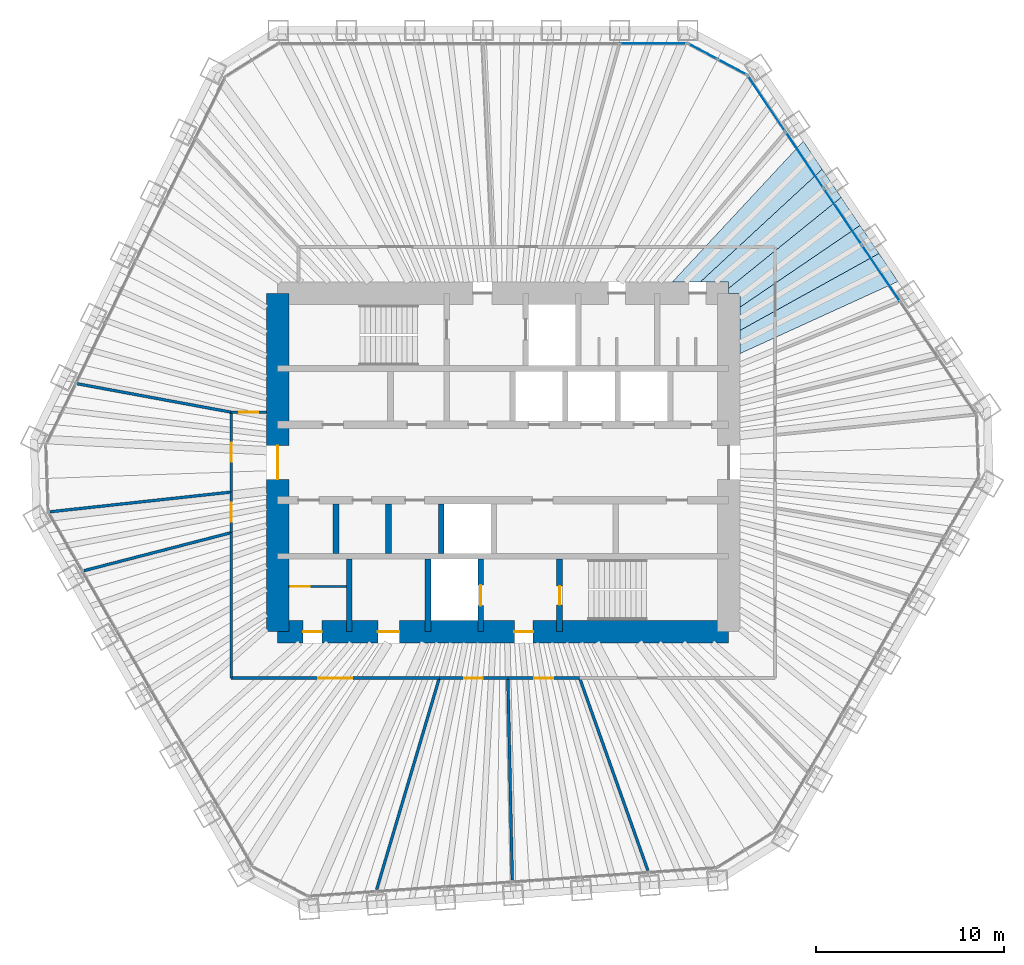
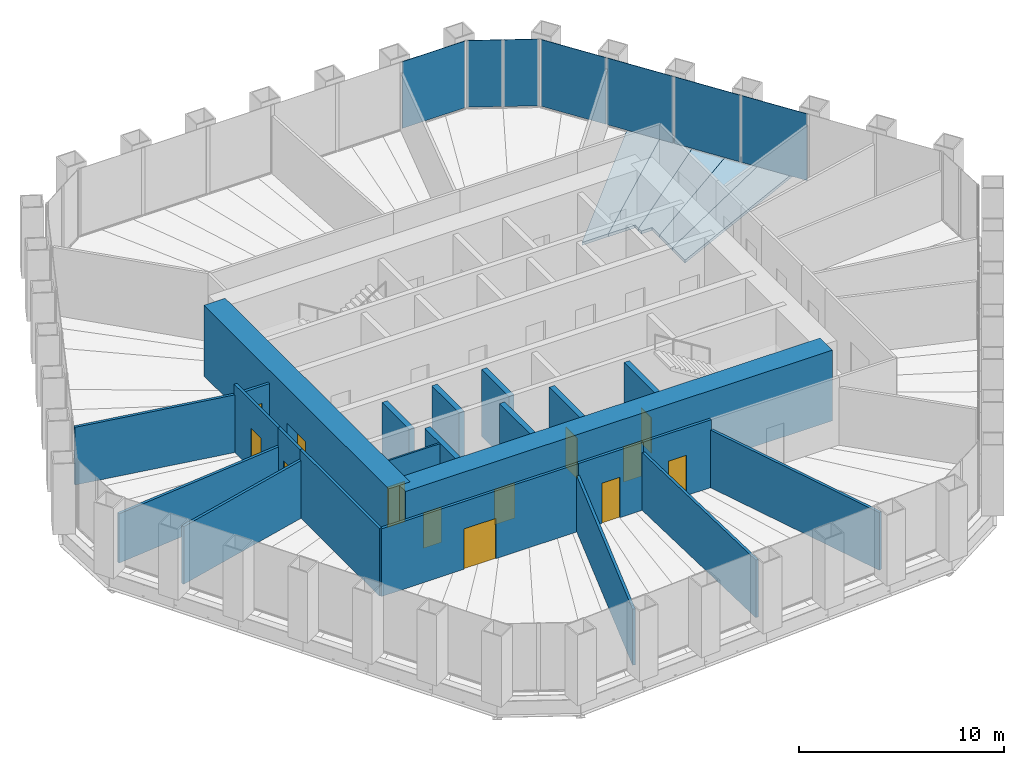
# One storey, part 10 of 13: 23 walls, 13 doors, 7 plates, 5 slabs, 13 openings, 3 elements without a shape of their own.
"""IFC4 building model written with IfcOpenShell, lengths in metres."""

from ifc_helpers import new_model, si_unit, direction, frame, frame_2d, origin, origin_2d, place, context, subcontext, project, spatial, polyline, rectangle, outline, extrude, material, layer, layer_set, type_object, element, fill, aggregate, save


model = new_model("IFC4")

# Units and contexts
model_context = context("Model", 3, precision=1e-05, world=origin(), true_north=direction((0.0, 1.0)))
body_context = subcontext(model_context, "Body", "Model", "MODEL_VIEW")
ifc_project = project(units=[si_unit("LENGTHUNIT", "METRE"), si_unit("AREAUNIT", "SQUARE_METRE"), si_unit("VOLUMEUNIT", "CUBIC_METRE"), si_unit("PLANEANGLEUNIT", "RADIAN"), si_unit("MASSUNIT", "GRAM", prefix="KILO")], contexts=[model_context])

# Site, building, storey
site_placement = place(None, origin())
site = spatial("IfcSite", under=ifc_project, at=site_placement, CompositionType="ELEMENT")
building_placement = place(site_placement, origin())
building = spatial("IfcBuilding", under=site, at=building_placement, Name="Qingtian Harvest Tower", CompositionType="ELEMENT")
storey_placement = place(building_placement, frame((0.0, 0.0, 214.0)))
storey = spatial("IfcBuildingStorey", under=building, at=storey_placement, Name="L46", CompositionType="ELEMENT", Elevation=214.0)

# Slabs
ifc_material_1 = material(Name="Concrete fc' 35 MPa", Category="concrete")
ifc_layer_1 = layer(ifc_material_1, 0.169921875)
ifc_layer_set_1 = layer_set([ifc_layer_1], Name="Composite floor slab FS17 170")
slab_type = type_object("IfcSlabType", Name="Composite floor slab FS17 170", PredefinedType="FLOOR", material=ifc_layer_set_1)
slab_1_placement = place(storey_placement, frame((0.0, 0.0, -0.169921875)))
element("IfcSlab", 1, at=slab_1_placement, inside=storey, type_object=slab_type, Name="Floor slab L46 panel D45", PredefinedType="FLOOR", context=body_context, shape_type="SweptSolid", body=[
    extrude(outline(polyline([(12.60009765625, 7.023681640625), (20.003662109375, 11.125244140625), (21.010986328125, 9.6318359375), (12.60009765625, 5.7900390625), (12.60009765625, 7.023681640625)])), origin(), (0.0, 0.0, 1.0), 0.169921875),
])
slab_2_placement = place(storey_placement, frame((0.0, 0.0, -0.169921875)))
element("IfcSlab", 2, at=slab_2_placement, inside=storey, type_object=slab_type, Name="Floor slab L46 panel D46", PredefinedType="FLOOR", context=body_context, shape_type="SweptSolid", body=[
    extrude(outline(polyline([(12.60009765625, 8.260498046875), (18.997802734375, 12.61669921875), (20.003662109375, 11.125244140625), (12.60009765625, 7.023681640625), (12.60009765625, 8.260498046875)])), origin(), (0.0, 0.0, 1.0), 0.169921875),
])
slab_3_placement = place(storey_placement, frame((0.0, 0.0, -0.169921875)))
element("IfcSlab", 3, at=slab_3_placement, inside=storey, type_object=slab_type, Name="Floor slab L46 panel D47", PredefinedType="FLOOR", context=body_context, shape_type="SweptSolid", body=[
    extrude(outline(polyline([(12.60009765625, 9.0), (12.0, 9.0), (12.0, 9.2666015625), (17.99072265625, 14.109375), (18.997802734375, 12.61669921875), (12.60009765625, 8.260498046875), (12.60009765625, 9.0)])), origin(), (0.0, 0.0, 1.0), 0.169921875),
])
slab_4_placement = place(storey_placement, frame((0.0, 0.0, -0.169921875)))
element("IfcSlab", 4, at=slab_4_placement, inside=storey, type_object=slab_type, Name="Floor slab L46 panel D48", PredefinedType="FLOOR", context=body_context, shape_type="SweptSolid", body=[
    extrude(outline(polyline([(12.0, 9.60009765625), (10.48583984375, 9.60009765625), (16.982177734375, 15.604736328125), (17.99072265625, 14.109375), (12.0, 9.2666015625), (12.0, 9.60009765625)])), origin(), (0.0, 0.0, 1.0), 0.169921875),
])
slab_5_placement = place(storey_placement, frame((0.0, 0.0, -0.169921875)))
element("IfcSlab", 5, at=slab_5_placement, inside=storey, type_object=slab_type, Name="Floor slab L46 panel D49", PredefinedType="FLOOR", context=body_context, shape_type="SweptSolid", body=[
    extrude(outline(polyline([(8.998291015625, 9.60009765625), (15.974853515625, 17.098388671875), (16.982177734375, 15.604736328125), (10.48583984375, 9.60009765625), (8.998291015625, 9.60009765625)])), origin(), (0.0, 0.0, 1.0), 0.169921875),
])

# Curtain wall, plate
ifc_material_2 = material(Name="Bronze-anodised aluminium curtain wall", Category="aluminium")
curtain_wall_type = type_object("IfcCurtainWallType", Name="Curtain wall CW4 office", PredefinedType="USERDEFINED", material=ifc_material_2)
curtain_wall_1_placement = place(storey_placement, origin())
curtain_wall_1 = element("IfcCurtainWall", 6, at=curtain_wall_1_placement, inside=storey, type_object=curtain_wall_type, Name="Curtain wall CW4 L46 N0-5", ObjectType="RECESSED CURTAIN WALL", PredefinedType="USERDEFINED")
ifc_material_3 = material(Name="Bronze-tinted laminated insulating glass", Category="glass")
ifc_layer_2 = layer(ifc_material_3, 0.030029296875)
ifc_layer_set_2 = layer_set([ifc_layer_2], Name="Glazed panel CWP tinted IGU")
plate_type = type_object("IfcPlateType", Name="Glazed panel CWP tinted IGU", PredefinedType="CURTAIN_PANEL", material=ifc_layer_set_2)
plate_1_placement = place(storey_placement, frame((7.996337890625, 22.300048828125, 0.06494140625), z_axis=(0.0, 0.0, 1.0), x_axis=(1.0, 0.0, 0.0)))
plate_1 = element("IfcPlate", 7, at=plate_1_placement, type_object=plate_type, Name="CW4 panel 6.1", PredefinedType="CURTAIN_PANEL", context=body_context, shape_type="SweptSolid", body=[
    extrude(rectangle(XDim=3.5361328125, YDim=0.030029296875, at=origin_2d()), origin(), (0.0, 0.0, 1.0), 3.965087890625),
])
aggregate(curtain_wall_1, [plate_1])

# Curtain wall, plates
curtain_wall_2_placement = place(storey_placement, origin())
curtain_wall_2 = element("IfcCurtainWall", 8, at=curtain_wall_2_placement, inside=storey, type_object=curtain_wall_type, Name="Curtain wall CW4 L46 NC", ObjectType="RECESSED CURTAIN WALL", PredefinedType="USERDEFINED")
plate_2_placement = place(storey_placement, frame((10.634033203125, 21.8720703125, 0.06494140625), z_axis=(0.0, 0.0, 1.0), x_axis=(0.882947592859, -0.469471562786, 0.0)))
plate_2 = element("IfcPlate", 9, at=plate_2_placement, type_object=plate_type, Name="CW4 panel 1.1", PredefinedType="CURTAIN_PANEL", context=body_context, shape_type="SweptSolid", body=[
    extrude(rectangle(XDim=1.69287109375, YDim=0.030029296875, at=origin_2d()), origin(), (0.0, 0.0, 1.0), 3.965087890625),
])
plate_3_placement = place(storey_placement, frame((12.186279296875, 21.046875, 0.06494140625), z_axis=(0.0, 0.0, 1.0), x_axis=(0.882947592859, -0.469471562786, 0.0)))
plate_3 = element("IfcPlate", 10, at=plate_3_placement, type_object=plate_type, Name="CW4 panel 2.1", PredefinedType="CURTAIN_PANEL", context=body_context, shape_type="SweptSolid", body=[
    extrude(rectangle(XDim=1.69287109375, YDim=0.030029296875, at=origin_2d()), origin(), (0.0, 0.0, 1.0), 3.965087890625),
])
aggregate(curtain_wall_2, [plate_2, plate_3])

curtain_wall_3_placement = place(storey_placement, origin())
curtain_wall_3 = element("IfcCurtainWall", 11, at=curtain_wall_3_placement, inside=storey, type_object=curtain_wall_type, Name="Curtain wall CW4 L46 NE0-5", ObjectType="RECESSED CURTAIN WALL", PredefinedType="USERDEFINED")
plate_4_placement = place(storey_placement, frame((14.01611328125, 19.09912109375, 0.06494140625), z_axis=(0.0, 0.0, 1.0), x_axis=(0.559192903471, -0.829037572555, 0.0)))
plate_4 = element("IfcPlate", 12, at=plate_4_placement, type_object=plate_type, Name="CW4 panel 1.1", PredefinedType="CURTAIN_PANEL", context=body_context, shape_type="SweptSolid", body=[
    extrude(rectangle(XDim=3.5361328125, YDim=0.030029296875, at=origin_2d()), origin(), (0.0, 0.0, 1.0), 3.965087890625),
])
plate_5_placement = place(storey_placement, frame((16.038818359375, 16.100341796875, 0.06494140625), z_axis=(0.0, 0.0, 1.0), x_axis=(0.559192903471, -0.829037572555, 0.0)))
plate_5 = element("IfcPlate", 13, at=plate_5_placement, type_object=plate_type, Name="CW4 panel 2.1", PredefinedType="CURTAIN_PANEL", context=body_context, shape_type="SweptSolid", body=[
    extrude(rectangle(XDim=3.568603515625, YDim=0.030029296875, at=origin_2d()), origin(), (0.0, 0.0, 1.0), 3.965087890625),
])
plate_6_placement = place(storey_placement, frame((18.07080078125, 13.087890625, 0.06494140625), z_axis=(0.0, 0.0, 1.0), x_axis=(0.559192903471, -0.829037572555, 0.0)))
plate_6 = element("IfcPlate", 14, at=plate_6_placement, type_object=plate_type, Name="CW4 panel 3.1", PredefinedType="CURTAIN_PANEL", context=body_context, shape_type="SweptSolid", body=[
    extrude(rectangle(XDim=3.568603515625, YDim=0.030029296875, at=origin_2d()), origin(), (0.0, 0.0, 1.0), 3.965087890625),
])
plate_7_placement = place(storey_placement, frame((20.1025390625, 10.07568359375, 0.06494140625), z_axis=(0.0, 0.0, 1.0), x_axis=(0.559192903471, -0.829037572555, 0.0)))
plate_7 = element("IfcPlate", 15, at=plate_7_placement, type_object=plate_type, Name="CW4 panel 4.1", PredefinedType="CURTAIN_PANEL", context=body_context, shape_type="SweptSolid", body=[
    extrude(rectangle(XDim=3.568603515625, YDim=0.030029296875, at=origin_2d()), origin(), (0.0, 0.0, 1.0), 3.965087890625),
])
aggregate(curtain_wall_3, [plate_4, plate_5, plate_6, plate_7])

# Walls
ifc_material_4 = material(Name="Precast concrete shaft panel", Category="concrete")
ifc_layer_3 = layer(ifc_material_4, 0.300048828125)
ifc_layer_set_3 = layer_set([ifc_layer_3], Name="Core shaft partition SW1 300")
wall_type_1 = type_object("IfcWallType", Name="Core shaft partition SW1 300", PredefinedType="PARTITIONING", material=ifc_layer_set_3)
for number, where, z_axis, x_axis, name in (
    (16, (-8.89990234375, -4.85009765625, 0.0), (0.0, 0.0, 1.0), (0.0, 1.0, 0.0), "Core shaft partition XB1 L46"),
    (17, (-6.10009765625, -4.85009765625, 0.0), (0.0, 0.0, 1.0), (0.0, 1.0, 0.0), "Core shaft partition XB2 L46"),
    (18, (-3.300048828125, -4.85009765625, 0.0), (0.0, 0.0, 1.0), (0.0, 1.0, 0.0), "Core shaft partition XB3 L46"),
):
    element("IfcWall", number, at=place(storey_placement, frame(where, z_axis=z_axis, x_axis=x_axis)), inside=storey, type_object=wall_type_1, Name=name, PredefinedType="PARTITIONING", context=body_context, shape_type="SweptSolid", body=[
        extrude(rectangle(XDim=2.650146484375, YDim=0.300048828125, at=frame_2d((1.3251953125, 0.0))), origin(), (0.0, 0.0, 1.0), 3.97998046875),
    ])
for number, where, z_axis, x_axis, name in (
    (19, (-8.199951171875, -9.0, 0.0), (0.0, 0.0, 1.0), (0.0, 1.0, 0.0), "Core shaft partition XS1 L46"),
    (20, (-4.0, -9.0, 0.0), (0.0, 0.0, 1.0), (0.0, 1.0, 0.0), "Core shaft partition XS2 L46"),
):
    element("IfcWall", number, at=place(storey_placement, frame(where, z_axis=z_axis, x_axis=x_axis)), inside=storey, type_object=wall_type_1, Name=name, PredefinedType="PARTITIONING", context=body_context, shape_type="SweptSolid", body=[
        extrude(rectangle(XDim=3.85009765625, YDim=0.300048828125, at=frame_2d((1.925048828125, 0.0))), origin(), (0.0, 0.0, 1.0), 3.97998046875),
    ])

# Wall, opening, door
wall_1_placement = place(storey_placement, frame((-1.199951171875, -9.0, 0.0), z_axis=(0.0, 0.0, 1.0), x_axis=(0.0, 1.0, 0.0)))
wall_1 = element("IfcWall", 21, at=wall_1_placement, inside=storey, type_object=wall_type_1, Name="Core shaft partition XS3 L46", PredefinedType="PARTITIONING", context=body_context, shape_type="SweptSolid", body=[
    extrude(rectangle(XDim=3.85009765625, YDim=0.300048828125, at=frame_2d((1.925048828125, 0.0))), origin(), (0.0, 0.0, 1.0), 3.97998046875),
])
opening_1_placement = place(wall_1_placement, frame((1.375, 0.0, 0.0)))
opening_1 = element("IfcOpeningElement", 22, at=opening_1_placement, cuts=wall_1, Name="Opening LD1", PredefinedType="OPENING", context=body_context, shape_type="SweptSolid", body=[
    extrude(rectangle(XDim=1.10009765625, YDim=2.39990234375, at=frame_2d((0.550048828125, 1.199951171875))), frame((0.0, 0.159912109375, 0.0), z_axis=(0.0, -1.0, 0.0), x_axis=(1.0, 0.0, 0.0)), (0.0, 0.0, 1.0), 0.320068359375),
])
ifc_material_5 = material(Name="Stainless steel lift landing door", Category="steel")
door_type_1 = type_object("IfcDoorType", Name="Lift landing door LD1 1 HR", OperationType="DOUBLE_DOOR_SLIDING", PredefinedType="DOOR", material=ifc_material_5)
door_1_placement = place(opening_1_placement, origin())
door_1 = element("IfcDoor", 23, at=door_1_placement, inside=storey, type_object=door_type_1, Name="FL2 landing door L46", OperationType="DOUBLE_DOOR_SLIDING", OverallHeight=2.39990234375, OverallWidth=1.10009765625, PredefinedType="DOOR", context=body_context, shape_type="SweptSolid", body=[
    extrude(rectangle(XDim=1.10009765625, YDim=2.39990234375, at=frame_2d((0.550048828125, 1.199951171875))), frame((0.0, 0.02490234375, 0.0), z_axis=(0.0, -1.0, 0.0), x_axis=(1.0, 0.0, 0.0)), (0.0, 0.0, 1.0), 0.050048828125),
])
fill(opening_1, door_1)

wall_2_placement = place(storey_placement, frame((3.0, -9.0, 0.0), z_axis=(0.0, 0.0, 1.0), x_axis=(0.0, 1.0, 0.0)))
wall_2 = element("IfcWall", 24, at=wall_2_placement, inside=storey, type_object=wall_type_1, Name="Core shaft partition XS4 L46", PredefinedType="PARTITIONING", context=body_context, shape_type="SweptSolid", body=[
    extrude(rectangle(XDim=3.85009765625, YDim=0.300048828125, at=frame_2d((1.925048828125, 0.0))), origin(), (0.0, 0.0, 1.0), 3.97998046875),
])
opening_2_placement = place(wall_2_placement, frame((1.425048828125, 0.0, 0.0)))
opening_2 = element("IfcOpeningElement", 25, at=opening_2_placement, cuts=wall_2, Name="Opening FD1", PredefinedType="OPENING", context=body_context, shape_type="SweptSolid", body=[
    extrude(rectangle(XDim=1.0, YDim=2.10009765625, at=frame_2d((0.5, 1.050048828125))), frame((0.0, 0.159912109375, 0.0), z_axis=(0.0, -1.0, 0.0), x_axis=(1.0, 0.0, 0.0)), (0.0, 0.0, 1.0), 0.320068359375),
])
ifc_material_6 = material(Name="Steel-faced door leaf", Category="steel")
door_type_2 = type_object("IfcDoorType", Name="Fire door FD1 single 1 HR", OperationType="SINGLE_SWING_LEFT", PredefinedType="DOOR", material=ifc_material_6)
door_2_placement = place(opening_2_placement, origin())
door_2 = element("IfcDoor", 26, at=door_2_placement, inside=storey, type_object=door_type_2, Name="S2 door L46", OperationType="SINGLE_SWING_RIGHT", OverallHeight=2.10009765625, OverallWidth=1.0, PredefinedType="DOOR", context=body_context, shape_type="SweptSolid", body=[
    extrude(rectangle(XDim=1.0, YDim=2.10009765625, at=frame_2d((0.5, 1.050048828125))), frame((0.0, 0.02490234375, 0.0), z_axis=(0.0, -1.0, 0.0), x_axis=(1.0, 0.0, 0.0)), (0.0, 0.0, 1.0), 0.050048828125),
])
fill(opening_2, door_2)

# Wall, openings, doors
ifc_material_7 = material(Name="Concrete fc' 70 MPa", Category="concrete")
ifc_layer_4 = layer(ifc_material_7, 1.199951171875)
ifc_layer_set_4 = layer_set([ifc_layer_4], Name="Core wall RC2 1200")
wall_type_2 = type_object("IfcWallType", Name="Core wall RC2 1200", PredefinedType="SHEAR", material=ifc_layer_set_4)
wall_3_placement = place(storey_placement, frame((-12.0, -9.0, 0.0), z_axis=(0.0, 0.0, 1.0), x_axis=(1.0, 0.0, 0.0)))
wall_3 = element("IfcWall", 27, at=wall_3_placement, inside=storey, type_object=wall_type_2, Name="Core wall CS L46", PredefinedType="SHEAR", context=body_context, shape_type="SweptSolid", body=[
    extrude(rectangle(XDim=24.0, YDim=1.199951171875, at=frame_2d((12.0, 0.0))), origin(), (0.0, 0.0, 1.0), 4.199951171875),
])
opening_3_placement = place(wall_3_placement, frame((1.35009765625, 0.0, 0.0)))
opening_3 = element("IfcOpeningElement", 28, at=opening_3_placement, cuts=wall_3, Name="Opening FD1", PredefinedType="OPENING", context=body_context, shape_type="SweptSolid", body=[
    extrude(rectangle(XDim=1.0, YDim=2.10009765625, at=frame_2d((0.5, 1.050048828125))), frame((0.0, 0.60986328125, 0.0), z_axis=(0.0, -1.0, 0.0), x_axis=(1.0, 0.0, 0.0)), (0.0, 0.0, 1.0), 1.219970703125),
])
opening_4_placement = place(wall_3_placement, frame((5.324951171875, 0.0, 0.0)))
opening_4 = element("IfcOpeningElement", 29, at=opening_4_placement, cuts=wall_3, Name="Opening AD1", PredefinedType="OPENING", context=body_context, shape_type="SweptSolid", body=[
    extrude(rectangle(XDim=1.14990234375, YDim=2.10009765625, at=frame_2d((0.574951171875, 1.050048828125))), frame((0.0, 0.60986328125, 0.0), z_axis=(0.0, -1.0, 0.0), x_axis=(1.0, 0.0, 0.0)), (0.0, 0.0, 1.0), 1.219970703125),
])
opening_5_placement = place(wall_3_placement, frame((12.60009765625, 0.0, 0.0)))
opening_5 = element("IfcOpeningElement", 30, at=opening_5_placement, cuts=wall_3, Name="Opening FD1", PredefinedType="OPENING", context=body_context, shape_type="SweptSolid", body=[
    extrude(rectangle(XDim=1.0, YDim=2.10009765625, at=frame_2d((0.5, 1.050048828125))), frame((0.0, 0.60986328125, 0.0), z_axis=(0.0, -1.0, 0.0), x_axis=(1.0, 0.0, 0.0)), (0.0, 0.0, 1.0), 1.219970703125),
])
ifc_material_8 = material(Name="Laminated timber door leaf", Category="wood")
door_type_3 = type_object("IfcDoorType", Name="Accessible WC door AD1 single", OperationType="SINGLE_SWING_LEFT", PredefinedType="DOOR", material=ifc_material_8)
door_3_placement = place(opening_4_placement, origin())
door_3 = element("IfcDoor", 31, at=door_3_placement, inside=storey, type_object=door_type_3, Name="AWC door L46", OperationType="SINGLE_SWING_LEFT", OverallHeight=2.10009765625, OverallWidth=1.14990234375, PredefinedType="DOOR", context=body_context, shape_type="SweptSolid", body=[
    extrude(rectangle(XDim=1.14990234375, YDim=2.10009765625, at=frame_2d((0.574951171875, 1.050048828125))), frame((0.0, 0.02490234375, 0.0), z_axis=(0.0, -1.0, 0.0), x_axis=(1.0, 0.0, 0.0)), (0.0, 0.0, 1.0), 0.050048828125),
])
fill(opening_4, door_3)
door_4_placement = place(opening_3_placement, origin())
door_4 = element("IfcDoor", 32, at=door_4_placement, inside=storey, type_object=door_type_2, Name="CLN door L46", OperationType="SINGLE_SWING_LEFT", OverallHeight=2.10009765625, OverallWidth=1.0, PredefinedType="DOOR", context=body_context, shape_type="SweptSolid", body=[
    extrude(rectangle(XDim=1.0, YDim=2.10009765625, at=frame_2d((0.5, 1.050048828125))), frame((0.0, 0.02490234375, 0.0), z_axis=(0.0, -1.0, 0.0), x_axis=(1.0, 0.0, 0.0)), (0.0, 0.0, 1.0), 0.050048828125),
])
fill(opening_3, door_4)
door_5_placement = place(opening_5_placement, origin())
door_5 = element("IfcDoor", 33, at=door_5_placement, inside=storey, type_object=door_type_2, Name="V2 door L46", OperationType="SINGLE_SWING_LEFT", OverallHeight=2.10009765625, OverallWidth=1.0, PredefinedType="DOOR", context=body_context, shape_type="SweptSolid", body=[
    extrude(rectangle(XDim=1.0, YDim=2.10009765625, at=frame_2d((0.5, 1.050048828125))), frame((0.0, 0.02490234375, 0.0), z_axis=(0.0, -1.0, 0.0), x_axis=(1.0, 0.0, 0.0)), (0.0, 0.0, 1.0), 0.050048828125),
])
fill(opening_5, door_5)

# Wall, opening, door
wall_4_placement = place(storey_placement, frame((-12.0, -9.0, 0.0), z_axis=(0.0, 0.0, 1.0), x_axis=(0.0, 1.0, 0.0)))
wall_4 = element("IfcWall", 34, at=wall_4_placement, inside=storey, type_object=wall_type_2, Name="Core wall CW L46", PredefinedType="SHEAR", context=body_context, shape_type="SweptSolid", body=[
    extrude(rectangle(XDim=18.0, YDim=1.199951171875, at=frame_2d((9.0, 0.0))), origin(), (0.0, 0.0, 1.0), 4.199951171875),
])
opening_6_placement = place(wall_4_placement, frame((8.10009765625, 0.0, 0.0)))
opening_6 = element("IfcOpeningElement", 35, at=opening_6_placement, cuts=wall_4, Name="Opening FD2", PredefinedType="OPENING", context=body_context, shape_type="SweptSolid", body=[
    extrude(rectangle(XDim=1.800048828125, YDim=2.10009765625, at=frame_2d((0.89990234375, 1.050048828125))), frame((0.0, 0.60986328125, 0.0), z_axis=(0.0, -1.0, 0.0), x_axis=(1.0, 0.0, 0.0)), (0.0, 0.0, 1.0), 1.219970703125),
])
ifc_material_9 = material(Name="Steel-faced door leaf", Category="steel")
door_type_4 = type_object("IfcDoorType", Name="Fire door FD2 double 1 HR", OperationType="DOUBLE_DOOR_DOUBLE_SWING", PredefinedType="DOOR", material=ifc_material_9)
door_6_placement = place(opening_6_placement, origin())
door_6 = element("IfcDoor", 36, at=door_6_placement, inside=storey, type_object=door_type_4, Name="LOBBY-W door L46", OperationType="DOUBLE_DOOR_DOUBLE_SWING", OverallHeight=2.10009765625, OverallWidth=1.800048828125, PredefinedType="DOOR", context=body_context, shape_type="SweptSolid", body=[
    extrude(rectangle(XDim=1.800048828125, YDim=2.10009765625, at=frame_2d((0.89990234375, 1.050048828125))), frame((0.0, 0.02490234375, 0.0), z_axis=(0.0, -1.0, 0.0), x_axis=(1.0, 0.0, 0.0)), (0.0, 0.0, 1.0), 0.050048828125),
])
fill(opening_6, door_6)

# Wall
ifc_material_10 = material(Name="Gypsum board on steel studs", Category="steel")
ifc_layer_5 = layer(ifc_material_10, 0.14990234375)
ifc_layer_set_5 = layer_set([ifc_layer_5], Name="Partition PT1 150")
wall_type_3 = type_object("IfcWallType", Name="Partition PT1 150", PredefinedType="PARTITIONING", material=ifc_layer_set_5)
wall_5_placement = place(storey_placement, frame((-6.734130859375, -22.7314453125, 0.0), z_axis=(0.0, 0.0, 1.0), x_axis=(0.284049386564, 0.958809650553, 0.0)))
element("IfcWall", 37, at=wall_5_placement, inside=storey, type_object=wall_type_3, Name="Workplace zone wall L46", PredefinedType="PARTITIONING", context=body_context, shape_type="SweptSolid", body=[
    extrude(rectangle(XDim=11.739990234375, YDim=0.14990234375, at=frame_2d((5.8701171875, 0.0))), origin(), (0.0, 0.0, 1.0), 3.330078125),
])

# Wall, opening, door
wall_6_placement = place(storey_placement, frame((-3.3994140625, -11.47509765625, 0.0), z_axis=(0.0, 0.0, 1.0), x_axis=(-1.0, 0.0, 0.0)))
wall_6 = element("IfcWall", 38, at=wall_6_placement, inside=storey, type_object=wall_type_3, Name="Workplace zone wall L46", PredefinedType="PARTITIONING", context=body_context, shape_type="SweptSolid", body=[
    extrude(rectangle(XDim=11.07568359375, YDim=0.14990234375, at=frame_2d((5.537841796875, 0.0))), origin(), (0.0, 0.0, 1.0), 4.030029296875),
])
opening_7_placement = place(wall_6_placement, frame((4.6376953125, 0.0, 0.0)))
opening_7 = element("IfcOpeningElement", 39, at=opening_7_placement, cuts=wall_6, Name="Opening D3", PredefinedType="OPENING", context=body_context, shape_type="SweptSolid", body=[
    extrude(rectangle(XDim=1.800048828125, YDim=2.39990234375, at=frame_2d((0.89990234375, 1.199951171875))), frame((0.0, 0.0849609375, 0.0), z_axis=(0.0, -1.0, 0.0), x_axis=(1.0, 0.0, 0.0)), (0.0, 0.0, 1.0), 0.169921875),
])
ifc_material_11 = material(Name="Laminated timber door leaf", Category="wood")
door_type_5 = type_object("IfcDoorType", Name="Room door D3 double", OperationType="DOUBLE_DOOR_DOUBLE_SWING", PredefinedType="DOOR", material=ifc_material_11)
door_7_placement = place(opening_7_placement, origin())
door_7 = element("IfcDoor", 40, at=door_7_placement, inside=storey, type_object=door_type_5, Name="Workplace zone door L46", OperationType="DOUBLE_DOOR_DOUBLE_SWING", OverallHeight=2.39990234375, OverallWidth=1.800048828125, PredefinedType="DOOR", context=body_context, shape_type="SweptSolid", body=[
    extrude(rectangle(XDim=1.800048828125, YDim=2.39990234375, at=frame_2d((0.89990234375, 1.199951171875))), frame((0.0, 0.02490234375, 0.0), z_axis=(0.0, -1.0, 0.0), x_axis=(1.0, 0.0, 0.0)), (0.0, 0.0, 1.0), 0.050048828125),
])
fill(opening_7, door_7)

# Walls
wall_7_placement = place(storey_placement, frame((-14.47509765625, -11.47509765625, 0.0), z_axis=(0.0, 0.0, 1.0), x_axis=(0.0, 1.0, 0.0)))
element("IfcWall", 41, at=wall_7_placement, inside=storey, type_object=wall_type_3, Name="Workplace zone wall L46", PredefinedType="PARTITIONING", context=body_context, shape_type="SweptSolid", body=[
    extrude(rectangle(XDim=7.739013671875, YDim=0.14990234375, at=frame_2d((3.86962890625, 0.0))), origin(), (0.0, 0.0, 1.0), 4.030029296875),
])
wall_8_placement = place(storey_placement, frame((-22.3134765625, -5.75927734375, 0.0), z_axis=(0.0, 0.0, 1.0), x_axis=(0.968265788926, 0.249922712042, 0.0)))
element("IfcWall", 42, at=wall_8_placement, inside=storey, type_object=wall_type_3, Name="Private office wall L46", PredefinedType="PARTITIONING", context=body_context, shape_type="SweptSolid", body=[
    extrude(rectangle(XDim=8.09521484375, YDim=0.14990234375, at=frame_2d((4.047607421875, 0.0))), origin(), (0.0, 0.0, 1.0), 3.429931640625),
])

# Wall, opening, door
wall_9_placement = place(storey_placement, frame((-14.47509765625, -3.736083984375, 0.0), z_axis=(0.0, 0.0, 1.0), x_axis=(0.0, 1.0, 0.0)))
wall_9 = element("IfcWall", 43, at=wall_9_placement, inside=storey, type_object=wall_type_3, Name="Private office wall L46", PredefinedType="PARTITIONING", context=body_context, shape_type="SweptSolid", body=[
    extrude(rectangle(XDim=2.16015625, YDim=0.14990234375, at=frame_2d((1.080078125, 0.0))), origin(), (0.0, 0.0, 1.0), 4.030029296875),
])
opening_8_placement = place(wall_9_placement, frame((0.580078125, 0.0, 0.0)))
opening_8 = element("IfcOpeningElement", 44, at=opening_8_placement, cuts=wall_9, Name="Opening D2", PredefinedType="OPENING", context=body_context, shape_type="SweptSolid", body=[
    extrude(rectangle(XDim=1.0, YDim=2.39990234375, at=frame_2d((0.5, 1.199951171875))), frame((0.0, 0.0849609375, 0.0), z_axis=(0.0, -1.0, 0.0), x_axis=(1.0, 0.0, 0.0)), (0.0, 0.0, 1.0), 0.169921875),
])
ifc_material_12 = material(Name="Laminated timber door leaf", Category="wood")
door_type_6 = type_object("IfcDoorType", Name="Room door D2 single", OperationType="SINGLE_SWING_LEFT", PredefinedType="DOOR", material=ifc_material_12)
door_8_placement = place(opening_8_placement, origin())
door_8 = element("IfcDoor", 45, at=door_8_placement, inside=storey, type_object=door_type_6, Name="Private office door L46", OperationType="SINGLE_SWING_LEFT", OverallHeight=2.39990234375, OverallWidth=1.0, PredefinedType="DOOR", context=body_context, shape_type="SweptSolid", body=[
    extrude(rectangle(XDim=1.0, YDim=2.39990234375, at=frame_2d((0.5, 1.199951171875))), frame((0.0, 0.02490234375, 0.0), z_axis=(0.0, -1.0, 0.0), x_axis=(1.0, 0.0, 0.0)), (0.0, 0.0, 1.0), 0.050048828125),
])
fill(opening_8, door_8)

# Wall
wall_10_placement = place(storey_placement, frame((-24.127685546875, -2.626708984375, 0.0), z_axis=(0.0, 0.0, 1.0), x_axis=(0.994126892449, 0.108220708326, 0.0)))
element("IfcWall", 46, at=wall_10_placement, inside=storey, type_object=wall_type_3, Name="Private office wall L46", PredefinedType="PARTITIONING", context=body_context, shape_type="SweptSolid", body=[
    extrude(rectangle(XDim=9.709716796875, YDim=0.14990234375, at=frame_2d((4.85498046875, 0.0))), origin(), (0.0, 0.0, 1.0), 2.929931640625),
])

# Wall, opening, door
wall_11_placement = place(storey_placement, frame((-14.47509765625, -1.575927734375, 0.0), z_axis=(0.0, 0.0, 1.0), x_axis=(0.0, 1.0, 0.0)))
wall_11 = element("IfcWall", 47, at=wall_11_placement, inside=storey, type_object=wall_type_3, Name="Private office wall L46", PredefinedType="PARTITIONING", context=body_context, shape_type="SweptSolid", body=[
    extrude(rectangle(XDim=4.251708984375, YDim=0.14990234375, at=frame_2d((2.1259765625, 0.0))), origin(), (0.0, 0.0, 1.0), 4.030029296875),
])
opening_9_placement = place(wall_11_placement, frame((1.625732421875, 0.0, 0.0)))
opening_9 = element("IfcOpeningElement", 48, at=opening_9_placement, cuts=wall_11, Name="Opening D2", PredefinedType="OPENING", context=body_context, shape_type="SweptSolid", body=[
    extrude(rectangle(XDim=1.0, YDim=2.39990234375, at=frame_2d((0.5, 1.199951171875))), frame((0.0, 0.0849609375, 0.0), z_axis=(0.0, -1.0, 0.0), x_axis=(1.0, 0.0, 0.0)), (0.0, 0.0, 1.0), 0.169921875),
])
door_9_placement = place(opening_9_placement, origin())
door_9 = element("IfcDoor", 49, at=door_9_placement, inside=storey, type_object=door_type_6, Name="Private office door L46", OperationType="SINGLE_SWING_LEFT", OverallHeight=2.39990234375, OverallWidth=1.0, PredefinedType="DOOR", context=body_context, shape_type="SweptSolid", body=[
    extrude(rectangle(XDim=1.0, YDim=2.39990234375, at=frame_2d((0.5, 1.199951171875))), frame((0.0, 0.02490234375, 0.0), z_axis=(0.0, -1.0, 0.0), x_axis=(1.0, 0.0, 0.0)), (0.0, 0.0, 1.0), 0.050048828125),
])
fill(opening_9, door_9)

# Wall
wall_12_placement = place(storey_placement, frame((-22.660888671875, 4.188720703125, 0.0), z_axis=(0.0, 0.0, 1.0), x_axis=(0.983345347199, -0.181746879316, 0.0)))
element("IfcWall", 50, at=wall_12_placement, inside=storey, type_object=wall_type_3, Name="Workplace zone wall L46", PredefinedType="PARTITIONING", context=body_context, shape_type="SweptSolid", body=[
    extrude(rectangle(XDim=8.324462890625, YDim=0.14990234375, at=frame_2d((4.162109375, 0.0))), origin(), (0.0, 0.0, 1.0), 3.429931640625),
])

# Wall, opening, door
wall_13_placement = place(storey_placement, frame((-14.47509765625, 2.67578125, 0.0), z_axis=(0.0, 0.0, 1.0), x_axis=(1.0, 0.0, 0.0)))
wall_13 = element("IfcWall", 51, at=wall_13_placement, inside=storey, type_object=wall_type_3, Name="Workplace zone wall L46", PredefinedType="PARTITIONING", context=body_context, shape_type="SweptSolid", body=[
    extrude(rectangle(XDim=1.875, YDim=0.14990234375, at=frame_2d((0.9375, 0.0))), origin(), (0.0, 0.0, 1.0), 3.429931640625),
])
opening_10_placement = place(wall_13_placement, frame((0.4375, 0.0, 0.0)))
opening_10 = element("IfcOpeningElement", 52, at=opening_10_placement, cuts=wall_13, Name="Opening D2", PredefinedType="OPENING", context=body_context, shape_type="SweptSolid", body=[
    extrude(rectangle(XDim=1.0, YDim=2.39990234375, at=frame_2d((0.5, 1.199951171875))), frame((0.0, 0.0849609375, 0.0), z_axis=(0.0, -1.0, 0.0), x_axis=(1.0, 0.0, 0.0)), (0.0, 0.0, 1.0), 0.169921875),
])
door_10_placement = place(opening_10_placement, origin())
door_10 = element("IfcDoor", 53, at=door_10_placement, inside=storey, type_object=door_type_6, Name="Workplace zone door L46", OperationType="SINGLE_SWING_LEFT", OverallHeight=2.39990234375, OverallWidth=1.0, PredefinedType="DOOR", context=body_context, shape_type="SweptSolid", body=[
    extrude(rectangle(XDim=1.0, YDim=2.39990234375, at=frame_2d((0.5, 1.199951171875))), frame((0.0, 0.02490234375, 0.0), z_axis=(0.0, -1.0, 0.0), x_axis=(1.0, 0.0, 0.0)), (0.0, 0.0, 1.0), 0.050048828125),
])
fill(opening_10, door_10)

# Wall
wall_14_placement = place(storey_placement, frame((7.702880859375, -21.71923828125, 0.0), z_axis=(0.0, 0.0, 1.0), x_axis=(-0.334269551553, 0.942477515331, 0.0)))
element("IfcWall", 54, at=wall_14_placement, inside=storey, type_object=wall_type_3, Name="Meeting room wall L46", PredefinedType="PARTITIONING", context=body_context, shape_type="SweptSolid", body=[
    extrude(rectangle(XDim=10.869384765625, YDim=0.14990234375, at=frame_2d((5.4345703125, 0.0))), origin(), (0.0, 0.0, 1.0), 3.429931640625),
])

# Wall, opening, door
wall_15_placement = place(storey_placement, frame((4.069580078125, -11.47509765625, 0.0), z_axis=(0.0, 0.0, 1.0), x_axis=(-1.0, 0.0, 0.0)))
wall_15 = element("IfcWall", 55, at=wall_15_placement, inside=storey, type_object=wall_type_3, Name="Meeting room wall L46", PredefinedType="PARTITIONING", context=body_context, shape_type="SweptSolid", body=[
    extrude(rectangle(XDim=3.8193359375, YDim=0.14990234375, at=frame_2d((1.90966796875, 0.0))), origin(), (0.0, 0.0, 1.0), 4.030029296875),
])
opening_11_placement = place(wall_15_placement, frame((1.40966796875, 0.0, 0.0)))
opening_11 = element("IfcOpeningElement", 56, at=opening_11_placement, cuts=wall_15, Name="Opening D2", PredefinedType="OPENING", context=body_context, shape_type="SweptSolid", body=[
    extrude(rectangle(XDim=1.0, YDim=2.39990234375, at=frame_2d((0.5, 1.199951171875))), frame((0.0, 0.0849609375, 0.0), z_axis=(0.0, -1.0, 0.0), x_axis=(1.0, 0.0, 0.0)), (0.0, 0.0, 1.0), 0.169921875),
])
door_11_placement = place(opening_11_placement, origin())
door_11 = element("IfcDoor", 57, at=door_11_placement, inside=storey, type_object=door_type_6, Name="Meeting room door L46", OperationType="SINGLE_SWING_LEFT", OverallHeight=2.39990234375, OverallWidth=1.0, PredefinedType="DOOR", context=body_context, shape_type="SweptSolid", body=[
    extrude(rectangle(XDim=1.0, YDim=2.39990234375, at=frame_2d((0.5, 1.199951171875))), frame((0.0, 0.02490234375, 0.0), z_axis=(0.0, -1.0, 0.0), x_axis=(1.0, 0.0, 0.0)), (0.0, 0.0, 1.0), 0.050048828125),
])
fill(opening_11, door_11)

# Wall
wall_16_placement = place(storey_placement, frame((0.484619140625, -22.220458984375, 0.0), z_axis=(0.0, 0.0, 1.0), x_axis=(-0.021806550804, 0.999762208899, 0.0)))
element("IfcWall", 58, at=wall_16_placement, inside=storey, type_object=wall_type_3, Name="Workplace zone wall L46", PredefinedType="PARTITIONING", context=body_context, shape_type="SweptSolid", body=[
    extrude(rectangle(XDim=10.747802734375, YDim=0.14990234375, at=frame_2d((5.3740234375, 0.0))), origin(), (0.0, 0.0, 1.0), 3.429931640625),
])

# Wall, opening, door
wall_17_placement = place(storey_placement, frame((0.250244140625, -11.47509765625, 0.0), z_axis=(0.0, 0.0, 1.0), x_axis=(-1.0, 0.0, 0.0)))
wall_17 = element("IfcWall", 59, at=wall_17_placement, inside=storey, type_object=wall_type_3, Name="Workplace zone wall L46", PredefinedType="PARTITIONING", context=body_context, shape_type="SweptSolid", body=[
    extrude(rectangle(XDim=3.649658203125, YDim=0.14990234375, at=frame_2d((1.82470703125, 0.0))), origin(), (0.0, 0.0, 1.0), 4.030029296875),
])
opening_12_placement = place(wall_17_placement, frame((1.324951171875, 0.0, 0.0)))
opening_12 = element("IfcOpeningElement", 60, at=opening_12_placement, cuts=wall_17, Name="Opening D2", PredefinedType="OPENING", context=body_context, shape_type="SweptSolid", body=[
    extrude(rectangle(XDim=1.0, YDim=2.39990234375, at=frame_2d((0.5, 1.199951171875))), frame((0.0, 0.0849609375, 0.0), z_axis=(0.0, -1.0, 0.0), x_axis=(1.0, 0.0, 0.0)), (0.0, 0.0, 1.0), 0.169921875),
])
door_12_placement = place(opening_12_placement, origin())
door_12 = element("IfcDoor", 61, at=door_12_placement, inside=storey, type_object=door_type_6, Name="Workplace zone door L46", OperationType="SINGLE_SWING_RIGHT", OverallHeight=2.39990234375, OverallWidth=1.0, PredefinedType="DOOR", context=body_context, shape_type="SweptSolid", body=[
    extrude(rectangle(XDim=1.0, YDim=2.39990234375, at=frame_2d((0.5, 1.199951171875))), frame((0.0, 0.02490234375, 0.0), z_axis=(0.0, -1.0, 0.0), x_axis=(1.0, 0.0, 0.0)), (0.0, 0.0, 1.0), 0.050048828125),
])
fill(opening_12, door_12)

ifc_material_13 = material(Name="Concrete block partition", Category="concrete")
ifc_layer_6 = layer(ifc_material_13, 0.10009765625)
ifc_layer_set_6 = layer_set([ifc_layer_6], Name="Store partition PT3 100")
wall_type_4 = type_object("IfcWallType", Name="Store partition PT3 100", PredefinedType="PARTITIONING", material=ifc_layer_set_6)
wall_18_placement = place(storey_placement, frame((-11.39990234375, -6.60009765625, 0.0), z_axis=(0.0, 0.0, 1.0), x_axis=(1.0, 0.0, 0.0)))
wall_18 = element("IfcWall", 62, at=wall_18_placement, inside=storey, type_object=wall_type_4, Name="Waste store wall L46", PredefinedType="PARTITIONING", context=body_context, shape_type="SweptSolid", body=[
    extrude(rectangle(XDim=3.0498046875, YDim=0.10009765625, at=frame_2d((1.52490234375, 0.0))), origin(), (0.0, 0.0, 1.0), 3.97998046875),
])
opening_13_placement = place(wall_18_placement, frame((0.10009765625, 0.0, 0.0)))
opening_13 = element("IfcOpeningElement", 63, at=opening_13_placement, cuts=wall_18, Name="Opening D2", PredefinedType="OPENING", context=body_context, shape_type="SweptSolid", body=[
    extrude(rectangle(XDim=1.0, YDim=2.39990234375, at=frame_2d((0.5, 1.199951171875))), frame((0.0, 0.06005859375, 0.0), z_axis=(0.0, -1.0, 0.0), x_axis=(1.0, 0.0, 0.0)), (0.0, 0.0, 1.0), 0.1201171875),
])
door_13_placement = place(opening_13_placement, origin())
door_13 = element("IfcDoor", 64, at=door_13_placement, inside=storey, type_object=door_type_6, Name="Waste store door L46", OperationType="SINGLE_SWING_LEFT", OverallHeight=2.39990234375, OverallWidth=1.0, PredefinedType="DOOR", context=body_context, shape_type="SweptSolid", body=[
    extrude(rectangle(XDim=1.0, YDim=2.39990234375, at=frame_2d((0.5, 1.199951171875))), frame((0.0, 0.02490234375, 0.0), z_axis=(0.0, -1.0, 0.0), x_axis=(1.0, 0.0, 0.0)), (0.0, 0.0, 1.0), 0.050048828125),
])
fill(opening_13, door_13)

save(model, "model.ifc")
